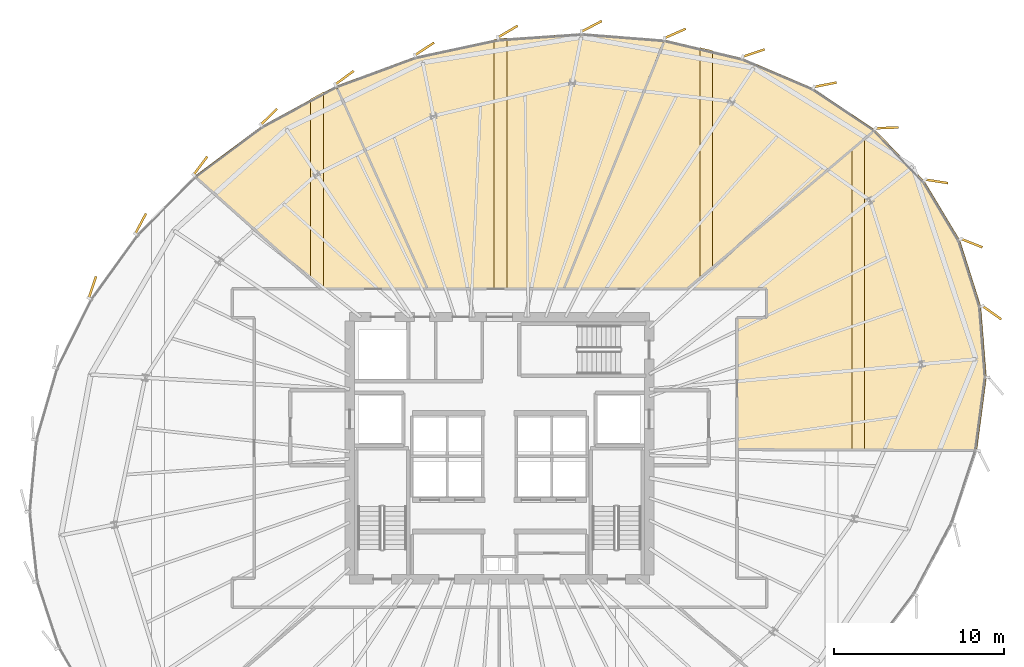
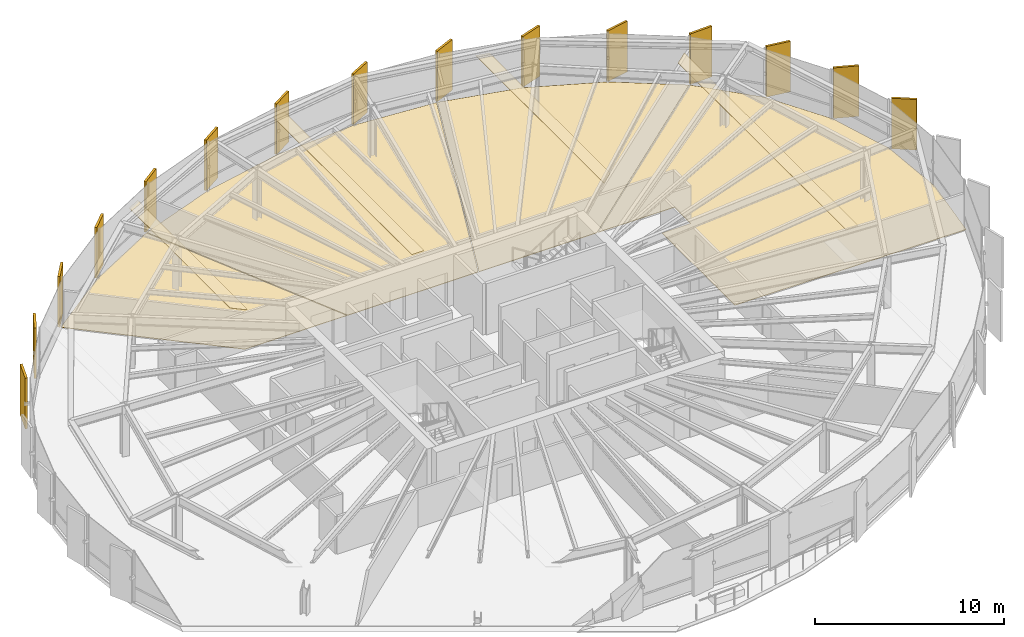
# One storey, part 37 of 37: 23 coverings.
"""IFC4 building model written with IfcOpenShell, lengths in metres."""

from ifc_helpers import new_model, si_unit, direction, frame, origin, origin_2d, place, context, subcontext, project, spatial, polyline, rectangle, outline, extrude, source, transform, mapped, material, layer, layer_set, type_object, element, save


model = new_model("IFC4")

# Units and contexts
model_context = context("Model", 3, precision=1e-05, world=origin(), true_north=direction((0.0, 1.0)))
body_context = subcontext(model_context, "Body", "Model", "MODEL_VIEW")
ifc_project = project(units=[si_unit("LENGTHUNIT", "METRE"), si_unit("AREAUNIT", "SQUARE_METRE"), si_unit("VOLUMEUNIT", "CUBIC_METRE"), si_unit("PLANEANGLEUNIT", "RADIAN"), si_unit("MASSUNIT", "GRAM", prefix="KILO"), si_unit("THERMODYNAMICTEMPERATUREUNIT", "KELVIN")], contexts=[model_context])

# Site, building, storey
site_placement = place(None, origin())
site = spatial("IfcSite", under=ifc_project, at=site_placement, CompositionType="ELEMENT")
building_placement = place(site_placement, origin())
building = spatial("IfcBuilding", under=site, at=building_placement, Name="Kethvar Cultural Tower", CompositionType="ELEMENT")
storey_placement = place(building_placement, frame((0.0, 0.0, 132.35009765625)))
storey = spatial("IfcBuildingStorey", under=building, at=storey_placement, Name="L33", CompositionType="ELEMENT", Elevation=132.35009765625)

# Coverings
ifc_material_1 = material(Name="Acoustic Mineral Fibre Ceiling")
ifc_layer_1 = layer(ifc_material_1, 0.0400390625, Name="Acoustic Mineral Fibre Ceiling")
ifc_layer_set_1 = layer_set([ifc_layer_1], Name="Acoustic Mineral Fibre Ceiling (40 mm)")
covering_type_1 = type_object("IfcCoveringType", Name="CV-ACOUSTIC-CEIL", PredefinedType="CEILING", material=ifc_layer_set_1)
covering_1_placement = place(storey_placement, frame((0.0, 0.0, 2.559814453125)))
element("IfcCovering", 1, at=covering_1_placement, inside=storey, type_object=covering_type_1, Name="L33 Room 04 Acoustic Ceiling Panel", PredefinedType="CEILING", context=body_context, shape_type="SweptSolid", body=[
    extrude(outline(polyline([(67.494384765625, 27.673095703125), (67.494384765625, 45.39599609375), (68.244384765625, 46.032958984375), (68.244384765625, 27.669189453125), (67.494384765625, 27.673095703125)])), origin(), (0.0, 0.0, 1.0), 0.0400390625),
])
covering_2_placement = place(storey_placement, frame((0.0, 0.0, 2.559814453125)))
element("IfcCovering", 2, at=covering_2_placement, inside=storey, type_object=covering_type_1, Name="L33 Room 05 Acoustic Ceiling Panel", PredefinedType="CEILING", context=body_context, shape_type="SweptSolid", body=[
    extrude(outline(polyline([(58.572509765625, 37.768798828125), (58.572509765625, 51.33203125), (59.322509765625, 51.154052734375), (59.322509765625, 38.405517578125), (58.572509765625, 37.768798828125)])), origin(), (0.0, 0.0, 1.0), 0.0400390625),
])
covering_3_placement = place(storey_placement, frame((0.0, 0.0, 2.559814453125)))
element("IfcCovering", 3, at=covering_3_placement, inside=storey, type_object=covering_type_1, Name="L33 Room 06 Acoustic Ceiling Panel", PredefinedType="CEILING", context=body_context, shape_type="SweptSolid", body=[
    extrude(outline(polyline([(46.482666015625, 51.81494140625), (47.232666015625, 51.901123046875), (47.232666015625, 37.1298828125), (46.482666015625, 37.1298828125), (46.482666015625, 51.81494140625)])), origin(), (0.0, 0.0, 1.0), 0.0400390625),
])
covering_4_placement = place(storey_placement, frame((0.0, 0.0, 2.559814453125)))
element("IfcCovering", 4, at=covering_4_placement, inside=storey, type_object=covering_type_1, Name="L33 Room 07 Acoustic Ceiling Panel", PredefinedType="CEILING", context=body_context, shape_type="SweptSolid", body=[
    extrude(outline(polyline([(36.459228515625, 48.714599609375), (36.459228515625, 37.1298828125), (36.32763671875, 37.1298828125), (35.709228515625, 37.67529296875), (35.709228515625, 48.308837890625), (36.459228515625, 48.714599609375)])), origin(), (0.0, 0.0, 1.0), 0.0400390625),
])
ifc_material_2 = material(Name="Honed Warm Limestone", Category="masonry")
ifc_layer_2 = layer(ifc_material_2, 0.030029296875, Name="Honed Warm Limestone", Category="masonry")
ifc_layer_set_2 = layer_set([ifc_layer_2], Name="Honed Warm Limestone (30 mm)")
covering_type_2 = type_object("IfcCoveringType", Name="CV-STONE-FLOOR", PredefinedType="FLOORING", material=ifc_layer_set_2)
covering_5_placement = place(storey_placement, origin())
element("IfcCovering", 5, at=covering_5_placement, inside=storey, type_object=covering_type_2, Name="L33 Room 04 Floor Finish", PredefinedType="FLOORING", context=body_context, shape_type="SweptSolid", body=[
    extrude(outline(polyline([(75.4033203125, 31.9599609375), (74.838623046875, 27.675048828125), (60.77001953125, 27.747802734375), (60.77001953125, 35.429931640625), (62.51416015625, 35.435791015625), (62.51904296875, 37.15576171875), (57.8671875, 37.169921875), (68.847900390625, 46.49267578125), (71.7392578125, 43.50537109375), (73.84130859375, 40.009521484375), (75.0732421875, 36.12109375), (75.4033203125, 31.9599609375)])), origin(), (0.0, 0.0, 1.0), 0.02978515625),
])
covering_6_placement = place(storey_placement, origin())
element("IfcCovering", 6, at=covering_6_placement, inside=storey, type_object=covering_type_2, Name="L33 Room 05 Floor Finish", PredefinedType="FLOORING", context=body_context, shape_type="SweptSolid", body=[
    extrude(outline(polyline([(61.068603515625, 50.6982421875), (65.2353515625, 48.923583984375), (68.81591796875, 46.518310546875), (57.805419921875, 37.169921875), (50.60400390625, 37.169921875), (56.50244140625, 51.782470703125), (61.068603515625, 50.6982421875)])), origin(), (0.0, 0.0, 1.0), 0.02978515625),
])
covering_7_placement = place(storey_placement, origin())
element("IfcCovering", 7, at=covering_7_placement, inside=storey, type_object=covering_type_2, Name="L33 Room 06 Floor Finish", PredefinedType="FLOORING", context=body_context, shape_type="SweptSolid", body=[
    extrude(outline(polyline([(41.86328125, 50.78564453125), (46.72705078125, 51.826416015625), (51.65283203125, 52.163818359375), (56.461669921875, 51.7880859375), (50.560791015625, 37.169921875), (42.59130859375, 37.169921875), (37.216064453125, 49.074951171875), (41.86328125, 50.78564453125)])), origin(), (0.0, 0.0, 1.0), 0.02978515625),
])
covering_8_placement = place(storey_placement, origin())
element("IfcCovering", 8, at=covering_8_placement, inside=storey, type_object=covering_type_2, Name="L33 Room 07 Floor Finish", PredefinedType="FLOORING", context=body_context, shape_type="SweptSolid", body=[
    extrude(outline(polyline([(28.919189453125, 43.791259765625), (32.836669921875, 46.710205078125), (37.179443359375, 49.05859375), (42.54736328125, 37.169921875), (36.335205078125, 37.169921875), (28.919189453125, 43.791259765625)])), origin(), (0.0, 0.0, 1.0), 0.02978515625),
])
ifc_material_3 = material(Name="Extruded Architectural Terracotta", Category="masonry")
ifc_layer_3 = layer(ifc_material_3, 0.135009765625, Name="Extruded Architectural Terracotta", Category="masonry")
ifc_layer_set_3 = layer_set([ifc_layer_3], Name="Extruded Architectural Terracotta (135 mm)")
covering_type_3 = type_object("IfcCoveringType", Name="Terracotta Facade Fin FIN-02", PredefinedType="CLADDING", material=ifc_layer_set_3)
shared_shape = source(origin(), body_context, "Body", "SweptSolid", [
    extrude(rectangle(XDim=1.35009765625, YDim=0.135009765625, at=origin_2d()), origin(), (0.0, 0.0, 1.0), 3.260009765625),
])
for number, where, z_axis, x_axis, name in (
    (9, (74.53564453125, 39.843994140625, 0.02001953125), (0.0, 0.0, 1.0), (0.929776485888, -0.368124552685, 0.0), "L33 Vertical Terracotta Fin 1.1"),
    (10, (72.4794921875, 43.468994140625, 0.02001953125), (0.0, 0.0, 1.0), (0.988013809691, -0.15436551383, 0.0), "L33 Vertical Terracotta Fin 1.2"),
    (11, (69.568359375, 46.6123046875, 0.02001953125), (0.0, 0.0, 1.0), (0.999276255405, 0.038038998196, 0.0), "L33 Vertical Terracotta Fin 1.3"),
    (12, (65.938232421875, 49.146728515625, 0.02001953125), (0.0, 0.0, 1.0), (0.98068299691, 0.195603833222, 0.0), "L33 Vertical Terracotta Fin 1.4"),
    (13, (61.73388671875, 51.00830078125, 0.02001953125), (0.0, 0.0, 1.0), (0.948820906043, 0.315814642245, 0.0), "L33 Vertical Terracotta Fin 1.5"),
    (14, (57.1142578125, 52.15771484375, 0.02001953125), (0.0, 0.0, 1.0), (0.915100475986, 0.403225890599, 0.0), "L33 Vertical Terracotta Fin 1.6"),
    (15, (52.206298828125, 52.57421875, 0.02001953125), (0.0, 0.0, 1.0), (0.885717930931, 0.464223811138, 0.0), "L33 Vertical Terracotta Fin 2.1"),
    (16, (47.28857421875, 52.26806640625, 0.02001953125), (0.0, 0.0, 1.0), (0.860742027004, 0.50904141575, 0.0), "L33 Vertical Terracotta Fin 2.2"),
    (17, (42.395263671875, 51.2490234375, 0.02001953125), (0.0, 0.0, 1.0), (0.837432663483, 0.54654051463, 0.0), "L33 Vertical Terracotta Fin 2.3"),
    (18, (37.694091796875, 49.557373046875, 0.02001953125), (0.0, 0.0, 1.0), (0.804790213963, 0.593559358034, 0.0), "L33 Vertical Terracotta Fin 2.4"),
    (19, (33.258056640625, 47.265869140625, 0.02001953125), (0.0, 0.0, 1.0), (0.710922228581, 0.703270634186, 0.0), "L33 Vertical Terracotta Fin 2.5"),
    (20, (29.235107421875, 44.3896484375, 0.02001953125), (0.0, 0.0, 1.0), (0.59874405405, 0.800940420843, 0.0), "L33 Vertical Terracotta Fin 2.6"),
    (21, (25.720947265625, 40.984619140625, 0.02001953125), (0.0, 0.0, 1.0), (0.467004080655, 0.884255160376, 0.0), "L33 Vertical Terracotta Fin 3.1"),
    (22, (22.8876953125, 37.246337890625, 0.02001953125), (0.0, 0.0, 1.0), (0.314986519655, 0.94909614499, 0.0), "L33 Vertical Terracotta Fin 3.2"),
    (23, (75.7197265625, 35.75830078125, 0.02001953125), (0.0, 0.0, 1.0), (0.815430994891, -0.57885429304, 0.0), "L33 Vertical Terracotta Fin 6.6"),
):
    element("IfcCovering", number, at=place(storey_placement, frame(where, z_axis=z_axis, x_axis=x_axis)), inside=storey, type_object=covering_type_3, Name=name, PredefinedType="CLADDING", context=body_context, shape_type="MappedRepresentation", body=[
        mapped(shared_shape, transform((0.0, 0.0, 0.0), scale=1.0)),
    ])

save(model, "model.ifc")
